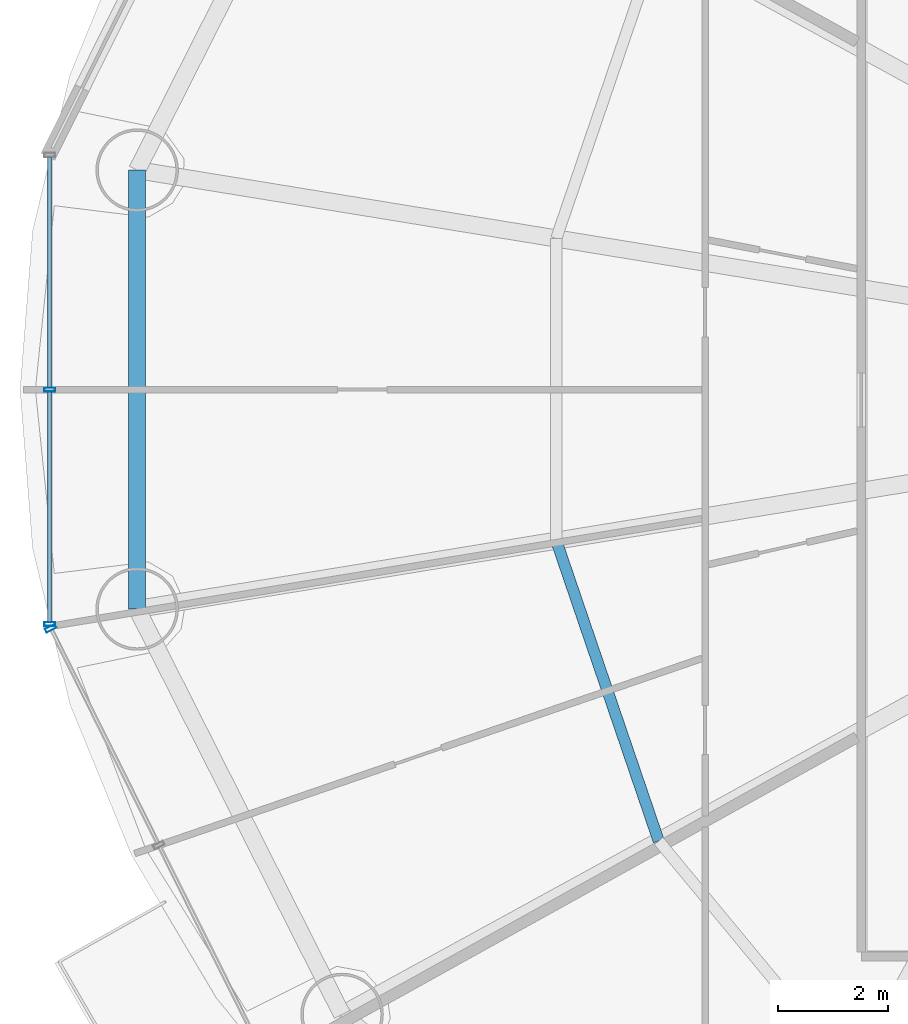
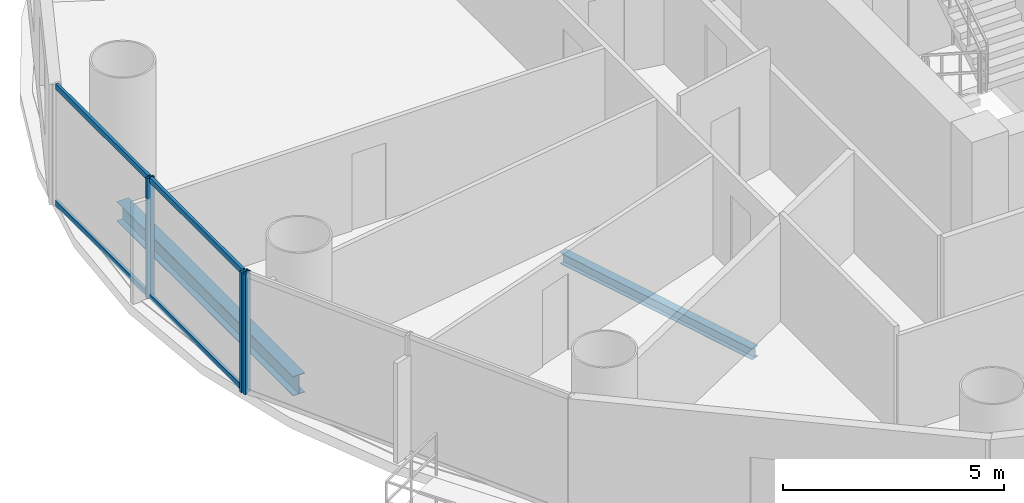
# One storey, part 6 of 28: 7 members, 2 beams, 2 elements without a shape of their own.
"""IFC4 building model written with IfcOpenShell, lengths in metres."""

from ifc_helpers import new_model, si_unit, direction, frame, origin, origin_2d, place, context, subcontext, project, spatial, hollow_rectangle, i_section, extrude, source, transform, mapped, material, material_profile, profile_set, type_object, element, aggregate, save


model = new_model("IFC4")

# Units and contexts
model_context = context("Model", 3, precision=1e-05, world=origin(), true_north=direction((-0.2419218956, 0.970295726276)))
body_context = subcontext(model_context, "Body", "Model", "MODEL_VIEW")
ifc_project = project(units=[si_unit("LENGTHUNIT", "METRE"), si_unit("AREAUNIT", "SQUARE_METRE"), si_unit("VOLUMEUNIT", "CUBIC_METRE"), si_unit("PLANEANGLEUNIT", "RADIAN"), si_unit("MASSUNIT", "GRAM", prefix="KILO")], contexts=[model_context])

# Site, building, storey
site_placement = place(None, origin())
site = spatial("IfcSite", under=ifc_project, at=site_placement, CompositionType="ELEMENT")
building_placement = place(site_placement, origin())
building = spatial("IfcBuilding", under=site, at=building_placement, Name="Cobrevalo Terracotta Tower", CompositionType="ELEMENT")
storey_placement = place(building_placement, frame((0.0, 0.0, 101.39990234375)))
storey = spatial("IfcBuildingStorey", under=building, at=storey_placement, Name="L26", CompositionType="ELEMENT", Elevation=101.39990234375)

# Beams
ifc_material_1 = material(Name="Steel S355", Category="steel")
ifc_material_profile_1 = material_profile(ifc_material_1, i_section(OverallWidth=0.2041015625, OverallDepth=0.305908203125, WebThickness=0.008544921875, FlangeThickness=0.0146484375, at=origin_2d()), Name="W 310x67")
ifc_profile_set_1 = profile_set([ifc_material_profile_1], Name="Steel S355")
beam_type_1 = type_object("IfcBeamType", Name="Structural Joist W 310x67 (Steel S355)", PredefinedType="JOIST", material=ifc_profile_set_1)
beam_1_placement = place(storey_placement, frame((21.149658203125, 24.052734375, -0.427978515625), z_axis=(0.322846227919, -0.946451431991, 0.0), x_axis=(0.946451431991, 0.322846227919, 0.0)))
element("IfcBeam", 1, at=beam_1_placement, inside=storey, type_object=beam_type_1, Name="L26 circumferential secondary floor joist 09", PredefinedType="JOIST", context=body_context, shape_type="SweptSolid", body=[
    extrude(i_section(OverallWidth=0.2041015625, OverallDepth=0.305908203125, WebThickness=0.008544921875, FlangeThickness=0.0146484375, at=origin_2d()), origin(), (0.0, 0.0, 1.0), 5.77001953125),
])
ifc_material_profile_2 = material_profile(ifc_material_1, i_section(OverallWidth=0.31201171875, OverallDepth=0.54296875, WebThickness=0.0126953125, FlangeThickness=0.020263671875, at=origin_2d()), Name="W 530x150")
ifc_profile_set_2 = profile_set([ifc_material_profile_2], Name="Steel S355")
beam_type_2 = type_object("IfcBeamType", Name="Structural Spandrel W 530x150 (Steel S355)", PredefinedType="SPANDREL", material=ifc_profile_set_2)
beam_2_placement = place(storey_placement, frame((13.529296875, 30.78955078125, -0.54638671875), z_axis=(0.0, -1.0, 0.0), x_axis=(1.0, 0.0, 0.0)))
element("IfcBeam", 2, at=beam_2_placement, inside=storey, type_object=beam_type_2, Name="L26 perimeter ring spandrel 08", PredefinedType="SPANDREL", context=body_context, shape_type="SweptSolid", body=[
    extrude(i_section(OverallWidth=0.31201171875, OverallDepth=0.54296875, WebThickness=0.0126953125, FlangeThickness=0.020263671875, at=origin_2d()), origin(), (0.0, 0.0, 1.0), 7.979248046875),
])

# Curtain wall, members
ifc_material_2 = material(Name="Anodized aluminium", Category="aluminium")
curtain_wall_type = type_object("IfcCurtainWallType", Name="Lower-tower unitised acoustic low-E curtain wall CW-U1", PredefinedType="NOTDEFINED", material=ifc_material_2)
curtain_wall_1_placement = place(storey_placement, origin())
curtain_wall_1 = element("IfcCurtainWall", 3, at=curtain_wall_1_placement, inside=storey, type_object=curtain_wall_type, Name="L26 curtain wall CW-L26-S08", PredefinedType="NOTDEFINED")
ifc_material_profile_3 = material_profile(ifc_material_2, hollow_rectangle(XDim=0.074951171875, YDim=0.14990234375, WallThickness=0.00439453125, at=origin_2d()), Name="CWT 75x150")
ifc_profile_set_3 = profile_set([ifc_material_profile_3], Name="Anodized aluminium")
member_type_1 = type_object("IfcMemberType", Name="Tower unitised aluminium transom 75x150", PredefinedType="USERDEFINED", material=ifc_profile_set_3)
shared_shape_1 = source(origin(), body_context, "Body", "SweptSolid", [
    extrude(hollow_rectangle(XDim=0.074951171875, YDim=0.14990234375, WallThickness=0.00439453125, at=origin_2d()), origin(), (0.0, 0.0, 1.0), 4.185546875),
])
member_1_placement = place(storey_placement, frame((11.9404296875, 31.025634765625, 0.050048828125), z_axis=(0.0, -1.0, 0.0), x_axis=(1.0, 0.0, 0.0)))
member_1 = element("IfcMember", 4, at=member_1_placement, type_object=member_type_1, Name="CW-L26-S08 transom B01-T1", ObjectType="TRANSOM", PredefinedType="USERDEFINED", context=body_context, shape_type="MappedRepresentation", body=[
    mapped(shared_shape_1, transform((0.0, 0.0, 0.0), scale=1.0)),
])
member_2_placement = place(storey_placement, frame((11.9404296875, 31.025634765625, 3.275146484375), z_axis=(0.0, -1.0, 0.0), x_axis=(1.0, 0.0, 0.0)))
member_2 = element("IfcMember", 5, at=member_2_placement, type_object=member_type_1, Name="CW-L26-S08 transom B01-T2", ObjectType="TRANSOM", PredefinedType="USERDEFINED", context=body_context, shape_type="MappedRepresentation", body=[
    mapped(shared_shape_1, transform((0.0, 0.0, 0.0), scale=1.0)),
])
member_3_placement = place(storey_placement, frame((11.9404296875, 26.760009765625, 0.050048828125), z_axis=(0.0, -1.0, 0.0), x_axis=(1.0, 0.0, 0.0)))
member_3 = element("IfcMember", 6, at=member_3_placement, type_object=member_type_1, Name="CW-L26-S08 transom B02-T1", ObjectType="TRANSOM", PredefinedType="USERDEFINED", context=body_context, shape_type="MappedRepresentation", body=[
    mapped(shared_shape_1, transform((0.0, 0.0, 0.0), scale=1.0)),
])
member_4_placement = place(storey_placement, frame((11.9404296875, 26.760009765625, 3.275146484375), z_axis=(0.0, -1.0, 0.0), x_axis=(1.0, 0.0, 0.0)))
member_4 = element("IfcMember", 7, at=member_4_placement, type_object=member_type_1, Name="CW-L26-S08 transom B02-T2", ObjectType="TRANSOM", PredefinedType="USERDEFINED", context=body_context, shape_type="MappedRepresentation", body=[
    mapped(shared_shape_1, transform((0.0, 0.0, 0.0), scale=1.0)),
])
ifc_material_profile_4 = material_profile(ifc_material_2, hollow_rectangle(XDim=0.074951171875, YDim=0.199951171875, WallThickness=0.0048828125, at=origin_2d()), Name="CWM 75x200")
ifc_profile_set_4 = profile_set([ifc_material_profile_4], Name="Anodized aluminium")
member_type_2 = type_object("IfcMemberType", Name="Lower/mid tower unitised mullion 75x200", PredefinedType="MULLION", material=ifc_profile_set_4)
shared_shape_2 = source(origin(), body_context, "Body", "SweptSolid", [
    extrude(hollow_rectangle(XDim=0.074951171875, YDim=0.199951171875, WallThickness=0.0048828125, at=origin_2d()), origin(), (0.0, 0.0, 1.0), 3.3251953125),
])
member_5_placement = place(storey_placement, frame((11.9404296875, 26.800048828125, 0.0), z_axis=(0.0, 0.0, 1.0), x_axis=(0.0, -1.0, 0.0)))
member_5 = element("IfcMember", 8, at=member_5_placement, type_object=member_type_2, Name="CW-L26-S08 vertical mullion 02", PredefinedType="MULLION", context=body_context, shape_type="MappedRepresentation", body=[
    mapped(shared_shape_2, transform((0.0, 0.0, 0.0), scale=1.0)),
])
member_6_placement = place(storey_placement, frame((11.9404296875, 22.534423828125, 0.0), z_axis=(0.0, 0.0, 1.0), x_axis=(0.0, -1.0, 0.0)))
member_6 = element("IfcMember", 9, at=member_6_placement, type_object=member_type_2, Name="CW-L26-S08 vertical mullion 03", PredefinedType="MULLION", context=body_context, shape_type="MappedRepresentation", body=[
    mapped(shared_shape_2, transform((0.0, 0.0, 0.0), scale=1.0)),
])
aggregate(curtain_wall_1, [member_5, member_6, member_1, member_2, member_3, member_4])

# Curtain wall, member
curtain_wall_2_placement = place(storey_placement, origin())
curtain_wall_2 = element("IfcCurtainWall", 10, at=curtain_wall_2_placement, inside=storey, type_object=curtain_wall_type, Name="L26 curtain wall CW-L26-S09", PredefinedType="NOTDEFINED")
member_7_placement = place(storey_placement, frame((11.95849609375, 22.45849609375, 0.0), z_axis=(0.0, 0.0, 1.0), x_axis=(0.446260290227, -0.894903208937, 0.0)))
member_7 = element("IfcMember", 11, at=member_7_placement, type_object=member_type_2, Name="CW-L26-S09 vertical mullion 01", PredefinedType="MULLION", context=body_context, shape_type="MappedRepresentation", body=[
    mapped(shared_shape_2, transform((0.0, 0.0, 0.0), scale=1.0)),
])
aggregate(curtain_wall_2, [member_7])

save(model, "model.ifc")
